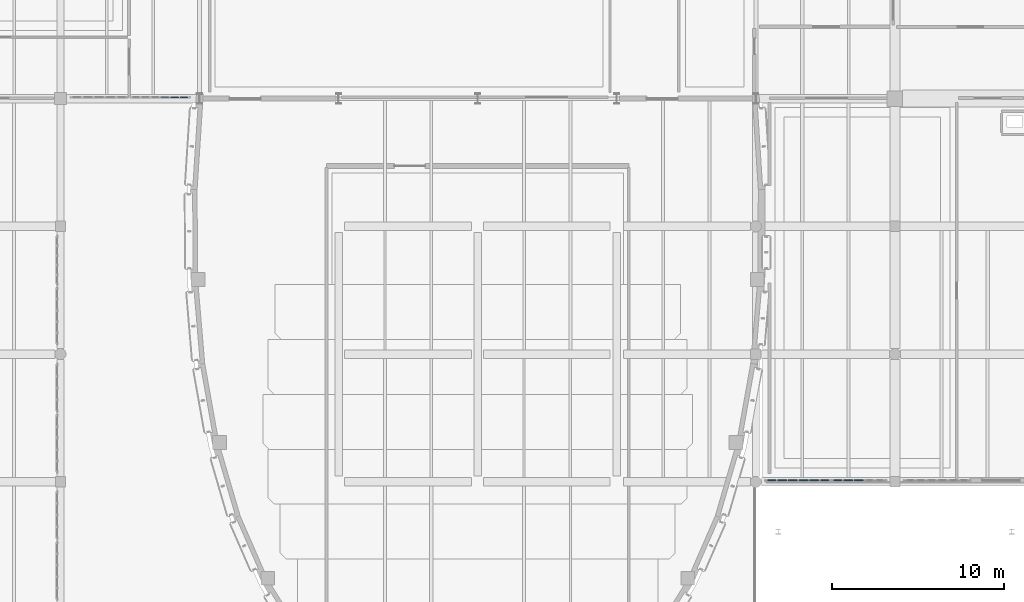
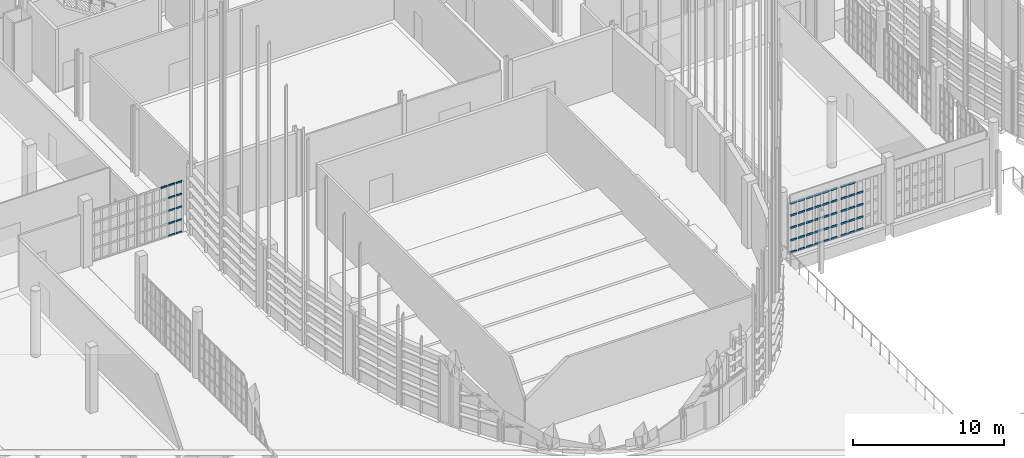
# One storey, part 300 of 372: 55 members, 3 elements without a shape of their own.
"""IFC4 building model written with IfcOpenShell, lengths in metres."""

from ifc_helpers import new_model, si_unit, direction, frame, origin, origin_2d, place, context, subcontext, project, spatial, hollow_rectangle, extrude, material, material_profile, profile_set, type_object, element, aggregate, save


model = new_model("IFC4")

# Units and contexts
model_context = context("Model", 3, precision=1e-05, world=origin(), true_north=direction((0.0, 1.0)))
body_context = subcontext(model_context, "Body", "Model", "MODEL_VIEW")
ifc_project = project(units=[si_unit("LENGTHUNIT", "METRE"), si_unit("AREAUNIT", "SQUARE_METRE"), si_unit("VOLUMEUNIT", "CUBIC_METRE"), si_unit("PLANEANGLEUNIT", "RADIAN"), si_unit("MASSUNIT", "GRAM", prefix="KILO")], contexts=[model_context])

# Site, building, storey
site_placement = place(None, origin())
site = spatial("IfcSite", under=ifc_project, at=site_placement, CompositionType="ELEMENT")
building_placement = place(site_placement, origin())
building = spatial("IfcBuilding", under=site, at=building_placement, Name="Kaelora Sail Theatre", CompositionType="ELEMENT")
storey_placement = place(building_placement, origin())
storey = spatial("IfcBuildingStorey", under=building, at=storey_placement, Name="L00", CompositionType="ELEMENT", Elevation=0.0)

# Curtain wall, members
ifc_material_1 = material(Name="Anodised aluminium and solar-control low-E IGU", Category="aluminium")
curtain_wall_type = type_object("IfcCurtainWallType", Name="ARC-CW-CW-FOY1", PredefinedType="NOTDEFINED", material=ifc_material_1)
curtain_wall_1_placement = place(storey_placement, origin())
curtain_wall_1 = element("IfcCurtainWall", 1, at=curtain_wall_1_placement, inside=storey, type_object=curtain_wall_type, Name="Glazed Foyer/Conservatory Curtain Wall FW1-S-L00-02", PredefinedType="NOTDEFINED")
ifc_material_2 = material(Name="Anodised aluminium 6063-T6", Category="aluminium")
ifc_material_profile_1 = material_profile(ifc_material_2, hollow_rectangle(XDim=0.070068359375, YDim=0.139892578125, WallThickness=0.00390625, InnerFilletRadius=0.00390625, OuterFilletRadius=0.008056640625, at=origin_2d()), Name="ALU-TRAN 70x140x4")
ifc_profile_set_1 = profile_set([ifc_material_profile_1], Name="Anodised aluminium 6063-T6")
member_type_1 = type_object("IfcMemberType", Name="ARC-MEM-TR-140", PredefinedType="USERDEFINED", material=ifc_profile_set_1)
member_1_placement = place(storey_placement, frame((23.530029296875, 61.090087890625, 4.10205078125), z_axis=(1.0, 0.0, 0.0), x_axis=(0.0, 1.0, 0.0)))
member_1 = element("IfcMember", 2, at=member_1_placement, type_object=member_type_1, Name="CW-FOY1 transom 4.5", ObjectType="TRANSOM", PredefinedType="USERDEFINED", context=body_context, shape_type="SweptSolid", body=[
    extrude(hollow_rectangle(XDim=0.070068359375, YDim=0.139892578125, WallThickness=0.00390625, InnerFilletRadius=0.00390625, OuterFilletRadius=0.008056640625, at=origin_2d()), origin(), (0.0, 0.0, 1.0), 0.506591796875),
])
member_2_placement = place(storey_placement, frame((24.0966796875, 61.090087890625, 0.034912109375), z_axis=(1.0, 0.0, 0.0), x_axis=(0.0, 1.0, 0.0)))
member_2 = element("IfcMember", 3, at=member_2_placement, type_object=member_type_1, Name="CW-FOY1 transom 5.1", ObjectType="TRANSOM", PredefinedType="USERDEFINED", context=body_context, shape_type="SweptSolid", body=[
    extrude(hollow_rectangle(XDim=0.070068359375, YDim=0.139892578125, WallThickness=0.00390625, InnerFilletRadius=0.00390625, OuterFilletRadius=0.008056640625, at=origin_2d()), origin(), (0.0, 0.0, 1.0), 0.506591796875),
])
member_3_placement = place(storey_placement, frame((24.0966796875, 61.090087890625, 1.0341796875), z_axis=(1.0, 0.0, 0.0), x_axis=(0.0, 1.0, 0.0)))
member_3 = element("IfcMember", 4, at=member_3_placement, type_object=member_type_1, Name="CW-FOY1 transom 5.2", ObjectType="TRANSOM", PredefinedType="USERDEFINED", context=body_context, shape_type="SweptSolid", body=[
    extrude(hollow_rectangle(XDim=0.070068359375, YDim=0.139892578125, WallThickness=0.00390625, InnerFilletRadius=0.00390625, OuterFilletRadius=0.008056640625, at=origin_2d()), origin(), (0.0, 0.0, 1.0), 0.506591796875),
])
member_4_placement = place(storey_placement, frame((24.0966796875, 61.090087890625, 2.068603515625), z_axis=(1.0, 0.0, 0.0), x_axis=(0.0, 1.0, 0.0)))
member_4 = element("IfcMember", 5, at=member_4_placement, type_object=member_type_1, Name="CW-FOY1 transom 5.3", ObjectType="TRANSOM", PredefinedType="USERDEFINED", context=body_context, shape_type="SweptSolid", body=[
    extrude(hollow_rectangle(XDim=0.070068359375, YDim=0.139892578125, WallThickness=0.00390625, InnerFilletRadius=0.00390625, OuterFilletRadius=0.008056640625, at=origin_2d()), origin(), (0.0, 0.0, 1.0), 0.506591796875),
])
member_5_placement = place(storey_placement, frame((24.0966796875, 61.090087890625, 3.102783203125), z_axis=(1.0, 0.0, 0.0), x_axis=(0.0, 1.0, 0.0)))
member_5 = element("IfcMember", 6, at=member_5_placement, type_object=member_type_1, Name="CW-FOY1 transom 5.4", ObjectType="TRANSOM", PredefinedType="USERDEFINED", context=body_context, shape_type="SweptSolid", body=[
    extrude(hollow_rectangle(XDim=0.070068359375, YDim=0.139892578125, WallThickness=0.00390625, InnerFilletRadius=0.00390625, OuterFilletRadius=0.008056640625, at=origin_2d()), origin(), (0.0, 0.0, 1.0), 0.506591796875),
])
member_6_placement = place(storey_placement, frame((24.0966796875, 61.090087890625, 4.10205078125), z_axis=(1.0, 0.0, 0.0), x_axis=(0.0, 1.0, 0.0)))
member_6 = element("IfcMember", 7, at=member_6_placement, type_object=member_type_1, Name="CW-FOY1 transom 5.5", ObjectType="TRANSOM", PredefinedType="USERDEFINED", context=body_context, shape_type="SweptSolid", body=[
    extrude(hollow_rectangle(XDim=0.070068359375, YDim=0.139892578125, WallThickness=0.00390625, InnerFilletRadius=0.00390625, OuterFilletRadius=0.008056640625, at=origin_2d()), origin(), (0.0, 0.0, 1.0), 0.506591796875),
])
member_7_placement = place(storey_placement, frame((24.663330078125, 61.090087890625, 0.034912109375), z_axis=(1.0, 0.0, 0.0), x_axis=(0.0, 1.0, 0.0)))
member_7 = element("IfcMember", 8, at=member_7_placement, type_object=member_type_1, Name="CW-FOY1 transom 6.1", ObjectType="TRANSOM", PredefinedType="USERDEFINED", context=body_context, shape_type="SweptSolid", body=[
    extrude(hollow_rectangle(XDim=0.070068359375, YDim=0.139892578125, WallThickness=0.00390625, InnerFilletRadius=0.00390625, OuterFilletRadius=0.008056640625, at=origin_2d()), origin(), (0.0, 0.0, 1.0), 0.4765625),
])
member_8_placement = place(storey_placement, frame((24.663330078125, 61.090087890625, 1.0341796875), z_axis=(1.0, 0.0, 0.0), x_axis=(0.0, 1.0, 0.0)))
member_8 = element("IfcMember", 9, at=member_8_placement, type_object=member_type_1, Name="CW-FOY1 transom 6.2", ObjectType="TRANSOM", PredefinedType="USERDEFINED", context=body_context, shape_type="SweptSolid", body=[
    extrude(hollow_rectangle(XDim=0.070068359375, YDim=0.139892578125, WallThickness=0.00390625, InnerFilletRadius=0.00390625, OuterFilletRadius=0.008056640625, at=origin_2d()), origin(), (0.0, 0.0, 1.0), 0.4765625),
])
member_9_placement = place(storey_placement, frame((24.663330078125, 61.090087890625, 2.068603515625), z_axis=(1.0, 0.0, 0.0), x_axis=(0.0, 1.0, 0.0)))
member_9 = element("IfcMember", 10, at=member_9_placement, type_object=member_type_1, Name="CW-FOY1 transom 6.3", ObjectType="TRANSOM", PredefinedType="USERDEFINED", context=body_context, shape_type="SweptSolid", body=[
    extrude(hollow_rectangle(XDim=0.070068359375, YDim=0.139892578125, WallThickness=0.00390625, InnerFilletRadius=0.00390625, OuterFilletRadius=0.008056640625, at=origin_2d()), origin(), (0.0, 0.0, 1.0), 0.4765625),
])
member_10_placement = place(storey_placement, frame((24.663330078125, 61.090087890625, 3.102783203125), z_axis=(1.0, 0.0, 0.0), x_axis=(0.0, 1.0, 0.0)))
member_10 = element("IfcMember", 11, at=member_10_placement, type_object=member_type_1, Name="CW-FOY1 transom 6.4", ObjectType="TRANSOM", PredefinedType="USERDEFINED", context=body_context, shape_type="SweptSolid", body=[
    extrude(hollow_rectangle(XDim=0.070068359375, YDim=0.139892578125, WallThickness=0.00390625, InnerFilletRadius=0.00390625, OuterFilletRadius=0.008056640625, at=origin_2d()), origin(), (0.0, 0.0, 1.0), 0.4765625),
])
member_11_placement = place(storey_placement, frame((24.663330078125, 61.090087890625, 4.10205078125), z_axis=(1.0, 0.0, 0.0), x_axis=(0.0, 1.0, 0.0)))
member_11 = element("IfcMember", 12, at=member_11_placement, type_object=member_type_1, Name="CW-FOY1 transom 6.5", ObjectType="TRANSOM", PredefinedType="USERDEFINED", context=body_context, shape_type="SweptSolid", body=[
    extrude(hollow_rectangle(XDim=0.070068359375, YDim=0.139892578125, WallThickness=0.00390625, InnerFilletRadius=0.00390625, OuterFilletRadius=0.008056640625, at=origin_2d()), origin(), (0.0, 0.0, 1.0), 0.4765625),
])
aggregate(curtain_wall_1, [member_1, member_2, member_3, member_4, member_5, member_6, member_7, member_8, member_9, member_10, member_11])

curtain_wall_2_placement = place(storey_placement, origin())
curtain_wall_2 = element("IfcCurtainWall", 13, at=curtain_wall_2_placement, inside=storey, type_object=curtain_wall_type, Name="West Interstitial Sail Foyer Curtain Wall L00-01", PredefinedType="NOTDEFINED")
ifc_material_3 = material(Name="Anodised aluminium 6063-T6", Category="aluminium")
ifc_material_profile_2 = material_profile(ifc_material_3, hollow_rectangle(XDim=0.080078125, YDim=0.159912109375, WallThickness=0.0048828125, InnerFilletRadius=0.0048828125, OuterFilletRadius=0.010009765625, at=origin_2d()), Name="ALU-TRAN 80x160x5")
ifc_profile_set_2 = profile_set([ifc_material_profile_2], Name="Anodised aluminium 6063-T6")
member_type_2 = type_object("IfcMemberType", Name="ARC-MEM-TR-160", PredefinedType="USERDEFINED", material=ifc_profile_set_2)
member_12_placement = place(storey_placement, frame((58.864990234375, 38.7900390625, 0.0400390625), z_axis=(1.0, 0.0, 0.0), x_axis=(0.0, 1.0, 0.0)))
member_12 = element("IfcMember", 14, at=member_12_placement, type_object=member_type_2, Name="CW-FOY1 transom 1.1", ObjectType="TRANSOM", PredefinedType="USERDEFINED", context=body_context, shape_type="SweptSolid", body=[
    extrude(hollow_rectangle(XDim=0.080078125, YDim=0.159912109375, WallThickness=0.0048828125, InnerFilletRadius=0.0048828125, OuterFilletRadius=0.010009765625, at=origin_2d()), origin(), (0.0, 0.0, 1.0), 0.507568359375),
])
member_13_placement = place(storey_placement, frame((58.864990234375, 38.7900390625, 1.00927734375), z_axis=(1.0, 0.0, 0.0), x_axis=(0.0, 1.0, 0.0)))
member_13 = element("IfcMember", 15, at=member_13_placement, type_object=member_type_2, Name="CW-FOY1 transom 1.2", ObjectType="TRANSOM", PredefinedType="USERDEFINED", context=body_context, shape_type="SweptSolid", body=[
    extrude(hollow_rectangle(XDim=0.080078125, YDim=0.159912109375, WallThickness=0.0048828125, InnerFilletRadius=0.0048828125, OuterFilletRadius=0.010009765625, at=origin_2d()), origin(), (0.0, 0.0, 1.0), 0.507568359375),
])
member_14_placement = place(storey_placement, frame((58.864990234375, 38.7900390625, 2.0185546875), z_axis=(1.0, 0.0, 0.0), x_axis=(0.0, 1.0, 0.0)))
member_14 = element("IfcMember", 16, at=member_14_placement, type_object=member_type_2, Name="CW-FOY1 transom 1.3", ObjectType="TRANSOM", PredefinedType="USERDEFINED", context=body_context, shape_type="SweptSolid", body=[
    extrude(hollow_rectangle(XDim=0.080078125, YDim=0.159912109375, WallThickness=0.0048828125, InnerFilletRadius=0.0048828125, OuterFilletRadius=0.010009765625, at=origin_2d()), origin(), (0.0, 0.0, 1.0), 0.507568359375),
])
member_15_placement = place(storey_placement, frame((58.864990234375, 38.7900390625, 3.02783203125), z_axis=(1.0, 0.0, 0.0), x_axis=(0.0, 1.0, 0.0)))
member_15 = element("IfcMember", 17, at=member_15_placement, type_object=member_type_2, Name="CW-FOY1 transom 1.4", ObjectType="TRANSOM", PredefinedType="USERDEFINED", context=body_context, shape_type="SweptSolid", body=[
    extrude(hollow_rectangle(XDim=0.080078125, YDim=0.159912109375, WallThickness=0.0048828125, InnerFilletRadius=0.0048828125, OuterFilletRadius=0.010009765625, at=origin_2d()), origin(), (0.0, 0.0, 1.0), 0.507568359375),
])
member_16_placement = place(storey_placement, frame((58.864990234375, 38.7900390625, 3.9970703125), z_axis=(1.0, 0.0, 0.0), x_axis=(0.0, 1.0, 0.0)))
member_16 = element("IfcMember", 18, at=member_16_placement, type_object=member_type_2, Name="CW-FOY1 transom 1.5", ObjectType="TRANSOM", PredefinedType="USERDEFINED", context=body_context, shape_type="SweptSolid", body=[
    extrude(hollow_rectangle(XDim=0.080078125, YDim=0.159912109375, WallThickness=0.0048828125, InnerFilletRadius=0.0048828125, OuterFilletRadius=0.010009765625, at=origin_2d()), origin(), (0.0, 0.0, 1.0), 0.507568359375),
])
member_17_placement = place(storey_placement, frame((59.452392578125, 38.7900390625, 0.0400390625), z_axis=(1.0, 0.0, 0.0), x_axis=(0.0, 1.0, 0.0)))
member_17 = element("IfcMember", 19, at=member_17_placement, type_object=member_type_2, Name="CW-FOY1 transom 2.1", ObjectType="TRANSOM", PredefinedType="USERDEFINED", context=body_context, shape_type="SweptSolid", body=[
    extrude(hollow_rectangle(XDim=0.080078125, YDim=0.159912109375, WallThickness=0.0048828125, InnerFilletRadius=0.0048828125, OuterFilletRadius=0.010009765625, at=origin_2d()), origin(), (0.0, 0.0, 1.0), 0.547607421875),
])
member_18_placement = place(storey_placement, frame((59.452392578125, 38.7900390625, 1.00927734375), z_axis=(1.0, 0.0, 0.0), x_axis=(0.0, 1.0, 0.0)))
member_18 = element("IfcMember", 20, at=member_18_placement, type_object=member_type_2, Name="CW-FOY1 transom 2.2", ObjectType="TRANSOM", PredefinedType="USERDEFINED", context=body_context, shape_type="SweptSolid", body=[
    extrude(hollow_rectangle(XDim=0.080078125, YDim=0.159912109375, WallThickness=0.0048828125, InnerFilletRadius=0.0048828125, OuterFilletRadius=0.010009765625, at=origin_2d()), origin(), (0.0, 0.0, 1.0), 0.547607421875),
])
member_19_placement = place(storey_placement, frame((59.452392578125, 38.7900390625, 2.0185546875), z_axis=(1.0, 0.0, 0.0), x_axis=(0.0, 1.0, 0.0)))
member_19 = element("IfcMember", 21, at=member_19_placement, type_object=member_type_2, Name="CW-FOY1 transom 2.3", ObjectType="TRANSOM", PredefinedType="USERDEFINED", context=body_context, shape_type="SweptSolid", body=[
    extrude(hollow_rectangle(XDim=0.080078125, YDim=0.159912109375, WallThickness=0.0048828125, InnerFilletRadius=0.0048828125, OuterFilletRadius=0.010009765625, at=origin_2d()), origin(), (0.0, 0.0, 1.0), 0.547607421875),
])
member_20_placement = place(storey_placement, frame((59.452392578125, 38.7900390625, 3.02783203125), z_axis=(1.0, 0.0, 0.0), x_axis=(0.0, 1.0, 0.0)))
member_20 = element("IfcMember", 22, at=member_20_placement, type_object=member_type_2, Name="CW-FOY1 transom 2.4", ObjectType="TRANSOM", PredefinedType="USERDEFINED", context=body_context, shape_type="SweptSolid", body=[
    extrude(hollow_rectangle(XDim=0.080078125, YDim=0.159912109375, WallThickness=0.0048828125, InnerFilletRadius=0.0048828125, OuterFilletRadius=0.010009765625, at=origin_2d()), origin(), (0.0, 0.0, 1.0), 0.547607421875),
])
member_21_placement = place(storey_placement, frame((59.452392578125, 38.7900390625, 3.9970703125), z_axis=(1.0, 0.0, 0.0), x_axis=(0.0, 1.0, 0.0)))
member_21 = element("IfcMember", 23, at=member_21_placement, type_object=member_type_2, Name="CW-FOY1 transom 2.5", ObjectType="TRANSOM", PredefinedType="USERDEFINED", context=body_context, shape_type="SweptSolid", body=[
    extrude(hollow_rectangle(XDim=0.080078125, YDim=0.159912109375, WallThickness=0.0048828125, InnerFilletRadius=0.0048828125, OuterFilletRadius=0.010009765625, at=origin_2d()), origin(), (0.0, 0.0, 1.0), 0.547607421875),
])
member_22_placement = place(storey_placement, frame((60.080078125, 38.7900390625, 0.0400390625), z_axis=(1.0, 0.0, 0.0), x_axis=(0.0, 1.0, 0.0)))
member_22 = element("IfcMember", 24, at=member_22_placement, type_object=member_type_2, Name="CW-FOY1 transom 3.1", ObjectType="TRANSOM", PredefinedType="USERDEFINED", context=body_context, shape_type="SweptSolid", body=[
    extrude(hollow_rectangle(XDim=0.080078125, YDim=0.159912109375, WallThickness=0.0048828125, InnerFilletRadius=0.0048828125, OuterFilletRadius=0.010009765625, at=origin_2d()), origin(), (0.0, 0.0, 1.0), 0.54736328125),
])
member_23_placement = place(storey_placement, frame((60.080078125, 38.7900390625, 1.00927734375), z_axis=(1.0, 0.0, 0.0), x_axis=(0.0, 1.0, 0.0)))
member_23 = element("IfcMember", 25, at=member_23_placement, type_object=member_type_2, Name="CW-FOY1 transom 3.2", ObjectType="TRANSOM", PredefinedType="USERDEFINED", context=body_context, shape_type="SweptSolid", body=[
    extrude(hollow_rectangle(XDim=0.080078125, YDim=0.159912109375, WallThickness=0.0048828125, InnerFilletRadius=0.0048828125, OuterFilletRadius=0.010009765625, at=origin_2d()), origin(), (0.0, 0.0, 1.0), 0.54736328125),
])
member_24_placement = place(storey_placement, frame((60.080078125, 38.7900390625, 2.0185546875), z_axis=(1.0, 0.0, 0.0), x_axis=(0.0, 1.0, 0.0)))
member_24 = element("IfcMember", 26, at=member_24_placement, type_object=member_type_2, Name="CW-FOY1 transom 3.3", ObjectType="TRANSOM", PredefinedType="USERDEFINED", context=body_context, shape_type="SweptSolid", body=[
    extrude(hollow_rectangle(XDim=0.080078125, YDim=0.159912109375, WallThickness=0.0048828125, InnerFilletRadius=0.0048828125, OuterFilletRadius=0.010009765625, at=origin_2d()), origin(), (0.0, 0.0, 1.0), 0.54736328125),
])
member_25_placement = place(storey_placement, frame((60.080078125, 38.7900390625, 3.02783203125), z_axis=(1.0, 0.0, 0.0), x_axis=(0.0, 1.0, 0.0)))
member_25 = element("IfcMember", 27, at=member_25_placement, type_object=member_type_2, Name="CW-FOY1 transom 3.4", ObjectType="TRANSOM", PredefinedType="USERDEFINED", context=body_context, shape_type="SweptSolid", body=[
    extrude(hollow_rectangle(XDim=0.080078125, YDim=0.159912109375, WallThickness=0.0048828125, InnerFilletRadius=0.0048828125, OuterFilletRadius=0.010009765625, at=origin_2d()), origin(), (0.0, 0.0, 1.0), 0.54736328125),
])
member_26_placement = place(storey_placement, frame((60.080078125, 38.7900390625, 3.9970703125), z_axis=(1.0, 0.0, 0.0), x_axis=(0.0, 1.0, 0.0)))
member_26 = element("IfcMember", 28, at=member_26_placement, type_object=member_type_2, Name="CW-FOY1 transom 3.5", ObjectType="TRANSOM", PredefinedType="USERDEFINED", context=body_context, shape_type="SweptSolid", body=[
    extrude(hollow_rectangle(XDim=0.080078125, YDim=0.159912109375, WallThickness=0.0048828125, InnerFilletRadius=0.0048828125, OuterFilletRadius=0.010009765625, at=origin_2d()), origin(), (0.0, 0.0, 1.0), 0.54736328125),
])
member_27_placement = place(storey_placement, frame((60.70751953125, 38.7900390625, 0.0400390625), z_axis=(1.0, 0.0, 0.0), x_axis=(0.0, 1.0, 0.0)))
member_27 = element("IfcMember", 29, at=member_27_placement, type_object=member_type_2, Name="CW-FOY1 transom 4.1", ObjectType="TRANSOM", PredefinedType="USERDEFINED", context=body_context, shape_type="SweptSolid", body=[
    extrude(hollow_rectangle(XDim=0.080078125, YDim=0.159912109375, WallThickness=0.0048828125, InnerFilletRadius=0.0048828125, OuterFilletRadius=0.010009765625, at=origin_2d()), origin(), (0.0, 0.0, 1.0), 0.54736328125),
])
member_28_placement = place(storey_placement, frame((60.70751953125, 38.7900390625, 1.00927734375), z_axis=(1.0, 0.0, 0.0), x_axis=(0.0, 1.0, 0.0)))
member_28 = element("IfcMember", 30, at=member_28_placement, type_object=member_type_2, Name="CW-FOY1 transom 4.2", ObjectType="TRANSOM", PredefinedType="USERDEFINED", context=body_context, shape_type="SweptSolid", body=[
    extrude(hollow_rectangle(XDim=0.080078125, YDim=0.159912109375, WallThickness=0.0048828125, InnerFilletRadius=0.0048828125, OuterFilletRadius=0.010009765625, at=origin_2d()), origin(), (0.0, 0.0, 1.0), 0.54736328125),
])
member_29_placement = place(storey_placement, frame((60.70751953125, 38.7900390625, 2.0185546875), z_axis=(1.0, 0.0, 0.0), x_axis=(0.0, 1.0, 0.0)))
member_29 = element("IfcMember", 31, at=member_29_placement, type_object=member_type_2, Name="CW-FOY1 transom 4.3", ObjectType="TRANSOM", PredefinedType="USERDEFINED", context=body_context, shape_type="SweptSolid", body=[
    extrude(hollow_rectangle(XDim=0.080078125, YDim=0.159912109375, WallThickness=0.0048828125, InnerFilletRadius=0.0048828125, OuterFilletRadius=0.010009765625, at=origin_2d()), origin(), (0.0, 0.0, 1.0), 0.54736328125),
])
member_30_placement = place(storey_placement, frame((60.70751953125, 38.7900390625, 3.02783203125), z_axis=(1.0, 0.0, 0.0), x_axis=(0.0, 1.0, 0.0)))
member_30 = element("IfcMember", 32, at=member_30_placement, type_object=member_type_2, Name="CW-FOY1 transom 4.4", ObjectType="TRANSOM", PredefinedType="USERDEFINED", context=body_context, shape_type="SweptSolid", body=[
    extrude(hollow_rectangle(XDim=0.080078125, YDim=0.159912109375, WallThickness=0.0048828125, InnerFilletRadius=0.0048828125, OuterFilletRadius=0.010009765625, at=origin_2d()), origin(), (0.0, 0.0, 1.0), 0.54736328125),
])
member_31_placement = place(storey_placement, frame((60.70751953125, 38.7900390625, 3.9970703125), z_axis=(1.0, 0.0, 0.0), x_axis=(0.0, 1.0, 0.0)))
member_31 = element("IfcMember", 33, at=member_31_placement, type_object=member_type_2, Name="CW-FOY1 transom 4.5", ObjectType="TRANSOM", PredefinedType="USERDEFINED", context=body_context, shape_type="SweptSolid", body=[
    extrude(hollow_rectangle(XDim=0.080078125, YDim=0.159912109375, WallThickness=0.0048828125, InnerFilletRadius=0.0048828125, OuterFilletRadius=0.010009765625, at=origin_2d()), origin(), (0.0, 0.0, 1.0), 0.54736328125),
])
member_32_placement = place(storey_placement, frame((61.3349609375, 38.7900390625, 0.0400390625), z_axis=(1.0, 0.0, 0.0), x_axis=(0.0, 1.0, 0.0)))
member_32 = element("IfcMember", 34, at=member_32_placement, type_object=member_type_2, Name="CW-FOY1 transom 5.1", ObjectType="TRANSOM", PredefinedType="USERDEFINED", context=body_context, shape_type="SweptSolid", body=[
    extrude(hollow_rectangle(XDim=0.080078125, YDim=0.159912109375, WallThickness=0.0048828125, InnerFilletRadius=0.0048828125, OuterFilletRadius=0.010009765625, at=origin_2d()), origin(), (0.0, 0.0, 1.0), 0.547607421875),
])
member_33_placement = place(storey_placement, frame((61.3349609375, 38.7900390625, 1.00927734375), z_axis=(1.0, 0.0, 0.0), x_axis=(0.0, 1.0, 0.0)))
member_33 = element("IfcMember", 35, at=member_33_placement, type_object=member_type_2, Name="CW-FOY1 transom 5.2", ObjectType="TRANSOM", PredefinedType="USERDEFINED", context=body_context, shape_type="SweptSolid", body=[
    extrude(hollow_rectangle(XDim=0.080078125, YDim=0.159912109375, WallThickness=0.0048828125, InnerFilletRadius=0.0048828125, OuterFilletRadius=0.010009765625, at=origin_2d()), origin(), (0.0, 0.0, 1.0), 0.547607421875),
])
member_34_placement = place(storey_placement, frame((61.3349609375, 38.7900390625, 2.0185546875), z_axis=(1.0, 0.0, 0.0), x_axis=(0.0, 1.0, 0.0)))
member_34 = element("IfcMember", 36, at=member_34_placement, type_object=member_type_2, Name="CW-FOY1 transom 5.3", ObjectType="TRANSOM", PredefinedType="USERDEFINED", context=body_context, shape_type="SweptSolid", body=[
    extrude(hollow_rectangle(XDim=0.080078125, YDim=0.159912109375, WallThickness=0.0048828125, InnerFilletRadius=0.0048828125, OuterFilletRadius=0.010009765625, at=origin_2d()), origin(), (0.0, 0.0, 1.0), 0.547607421875),
])
member_35_placement = place(storey_placement, frame((61.3349609375, 38.7900390625, 3.02783203125), z_axis=(1.0, 0.0, 0.0), x_axis=(0.0, 1.0, 0.0)))
member_35 = element("IfcMember", 37, at=member_35_placement, type_object=member_type_2, Name="CW-FOY1 transom 5.4", ObjectType="TRANSOM", PredefinedType="USERDEFINED", context=body_context, shape_type="SweptSolid", body=[
    extrude(hollow_rectangle(XDim=0.080078125, YDim=0.159912109375, WallThickness=0.0048828125, InnerFilletRadius=0.0048828125, OuterFilletRadius=0.010009765625, at=origin_2d()), origin(), (0.0, 0.0, 1.0), 0.547607421875),
])
member_36_placement = place(storey_placement, frame((61.3349609375, 38.7900390625, 3.9970703125), z_axis=(1.0, 0.0, 0.0), x_axis=(0.0, 1.0, 0.0)))
member_36 = element("IfcMember", 38, at=member_36_placement, type_object=member_type_2, Name="CW-FOY1 transom 5.5", ObjectType="TRANSOM", PredefinedType="USERDEFINED", context=body_context, shape_type="SweptSolid", body=[
    extrude(hollow_rectangle(XDim=0.080078125, YDim=0.159912109375, WallThickness=0.0048828125, InnerFilletRadius=0.0048828125, OuterFilletRadius=0.010009765625, at=origin_2d()), origin(), (0.0, 0.0, 1.0), 0.547607421875),
])
member_37_placement = place(storey_placement, frame((61.96240234375, 38.7900390625, 0.0400390625), z_axis=(1.0, 0.0, 0.0), x_axis=(0.0, 1.0, 0.0)))
member_37 = element("IfcMember", 39, at=member_37_placement, type_object=member_type_2, Name="CW-FOY1 transom 6.1", ObjectType="TRANSOM", PredefinedType="USERDEFINED", context=body_context, shape_type="SweptSolid", body=[
    extrude(hollow_rectangle(XDim=0.080078125, YDim=0.159912109375, WallThickness=0.0048828125, InnerFilletRadius=0.0048828125, OuterFilletRadius=0.010009765625, at=origin_2d()), origin(), (0.0, 0.0, 1.0), 0.507568359375),
])
member_38_placement = place(storey_placement, frame((61.96240234375, 38.7900390625, 1.00927734375), z_axis=(1.0, 0.0, 0.0), x_axis=(0.0, 1.0, 0.0)))
member_38 = element("IfcMember", 40, at=member_38_placement, type_object=member_type_2, Name="CW-FOY1 transom 6.2", ObjectType="TRANSOM", PredefinedType="USERDEFINED", context=body_context, shape_type="SweptSolid", body=[
    extrude(hollow_rectangle(XDim=0.080078125, YDim=0.159912109375, WallThickness=0.0048828125, InnerFilletRadius=0.0048828125, OuterFilletRadius=0.010009765625, at=origin_2d()), origin(), (0.0, 0.0, 1.0), 0.507568359375),
])
member_39_placement = place(storey_placement, frame((61.96240234375, 38.7900390625, 2.0185546875), z_axis=(1.0, 0.0, 0.0), x_axis=(0.0, 1.0, 0.0)))
member_39 = element("IfcMember", 41, at=member_39_placement, type_object=member_type_2, Name="CW-FOY1 transom 6.3", ObjectType="TRANSOM", PredefinedType="USERDEFINED", context=body_context, shape_type="SweptSolid", body=[
    extrude(hollow_rectangle(XDim=0.080078125, YDim=0.159912109375, WallThickness=0.0048828125, InnerFilletRadius=0.0048828125, OuterFilletRadius=0.010009765625, at=origin_2d()), origin(), (0.0, 0.0, 1.0), 0.507568359375),
])
member_40_placement = place(storey_placement, frame((61.96240234375, 38.7900390625, 3.02783203125), z_axis=(1.0, 0.0, 0.0), x_axis=(0.0, 1.0, 0.0)))
member_40 = element("IfcMember", 42, at=member_40_placement, type_object=member_type_2, Name="CW-FOY1 transom 6.4", ObjectType="TRANSOM", PredefinedType="USERDEFINED", context=body_context, shape_type="SweptSolid", body=[
    extrude(hollow_rectangle(XDim=0.080078125, YDim=0.159912109375, WallThickness=0.0048828125, InnerFilletRadius=0.0048828125, OuterFilletRadius=0.010009765625, at=origin_2d()), origin(), (0.0, 0.0, 1.0), 0.507568359375),
])
member_41_placement = place(storey_placement, frame((61.96240234375, 38.7900390625, 3.9970703125), z_axis=(1.0, 0.0, 0.0), x_axis=(0.0, 1.0, 0.0)))
member_41 = element("IfcMember", 43, at=member_41_placement, type_object=member_type_2, Name="CW-FOY1 transom 6.5", ObjectType="TRANSOM", PredefinedType="USERDEFINED", context=body_context, shape_type="SweptSolid", body=[
    extrude(hollow_rectangle(XDim=0.080078125, YDim=0.159912109375, WallThickness=0.0048828125, InnerFilletRadius=0.0048828125, OuterFilletRadius=0.010009765625, at=origin_2d()), origin(), (0.0, 0.0, 1.0), 0.507568359375),
])
aggregate(curtain_wall_2, [member_12, member_13, member_14, member_15, member_16, member_17, member_18, member_19, member_20, member_21, member_22, member_23, member_24, member_25, member_26, member_27, member_28, member_29, member_30, member_31, member_32, member_33, member_34, member_35, member_36, member_37, member_38, member_39, member_40, member_41])

curtain_wall_3_placement = place(storey_placement, origin())
curtain_wall_3 = element("IfcCurtainWall", 44, at=curtain_wall_3_placement, inside=storey, type_object=curtain_wall_type, Name="West Interstitial Sail Foyer Curtain Wall L00-02", PredefinedType="NOTDEFINED")
member_42_placement = place(storey_placement, frame((62.72998046875, 38.7900390625, 0.0400390625), z_axis=(1.0, 0.0, 0.0), x_axis=(0.0, 1.0, 0.0)))
member_42 = element("IfcMember", 45, at=member_42_placement, type_object=member_type_2, Name="CW-FOY1 transom 1.1", ObjectType="TRANSOM", PredefinedType="USERDEFINED", context=body_context, shape_type="SweptSolid", body=[
    extrude(hollow_rectangle(XDim=0.080078125, YDim=0.159912109375, WallThickness=0.0048828125, InnerFilletRadius=0.0048828125, OuterFilletRadius=0.010009765625, at=origin_2d()), origin(), (0.0, 0.0, 1.0), 0.498046875),
])
member_43_placement = place(storey_placement, frame((62.72998046875, 38.7900390625, 1.00927734375), z_axis=(1.0, 0.0, 0.0), x_axis=(0.0, 1.0, 0.0)))
member_43 = element("IfcMember", 46, at=member_43_placement, type_object=member_type_2, Name="CW-FOY1 transom 1.2", ObjectType="TRANSOM", PredefinedType="USERDEFINED", context=body_context, shape_type="SweptSolid", body=[
    extrude(hollow_rectangle(XDim=0.080078125, YDim=0.159912109375, WallThickness=0.0048828125, InnerFilletRadius=0.0048828125, OuterFilletRadius=0.010009765625, at=origin_2d()), origin(), (0.0, 0.0, 1.0), 0.498046875),
])
member_44_placement = place(storey_placement, frame((62.72998046875, 38.7900390625, 2.0185546875), z_axis=(1.0, 0.0, 0.0), x_axis=(0.0, 1.0, 0.0)))
member_44 = element("IfcMember", 47, at=member_44_placement, type_object=member_type_2, Name="CW-FOY1 transom 1.3", ObjectType="TRANSOM", PredefinedType="USERDEFINED", context=body_context, shape_type="SweptSolid", body=[
    extrude(hollow_rectangle(XDim=0.080078125, YDim=0.159912109375, WallThickness=0.0048828125, InnerFilletRadius=0.0048828125, OuterFilletRadius=0.010009765625, at=origin_2d()), origin(), (0.0, 0.0, 1.0), 0.498046875),
])
member_45_placement = place(storey_placement, frame((62.72998046875, 38.7900390625, 3.02783203125), z_axis=(1.0, 0.0, 0.0), x_axis=(0.0, 1.0, 0.0)))
member_45 = element("IfcMember", 48, at=member_45_placement, type_object=member_type_2, Name="CW-FOY1 transom 1.4", ObjectType="TRANSOM", PredefinedType="USERDEFINED", context=body_context, shape_type="SweptSolid", body=[
    extrude(hollow_rectangle(XDim=0.080078125, YDim=0.159912109375, WallThickness=0.0048828125, InnerFilletRadius=0.0048828125, OuterFilletRadius=0.010009765625, at=origin_2d()), origin(), (0.0, 0.0, 1.0), 0.498046875),
])
member_46_placement = place(storey_placement, frame((62.72998046875, 38.7900390625, 3.9970703125), z_axis=(1.0, 0.0, 0.0), x_axis=(0.0, 1.0, 0.0)))
member_46 = element("IfcMember", 49, at=member_46_placement, type_object=member_type_2, Name="CW-FOY1 transom 1.5", ObjectType="TRANSOM", PredefinedType="USERDEFINED", context=body_context, shape_type="SweptSolid", body=[
    extrude(hollow_rectangle(XDim=0.080078125, YDim=0.159912109375, WallThickness=0.0048828125, InnerFilletRadius=0.0048828125, OuterFilletRadius=0.010009765625, at=origin_2d()), origin(), (0.0, 0.0, 1.0), 0.498046875),
])
member_47_placement = place(storey_placement, frame((63.30810546875, 38.7900390625, 0.0400390625), z_axis=(1.0, 0.0, 0.0), x_axis=(0.0, 1.0, 0.0)))
member_47 = element("IfcMember", 50, at=member_47_placement, type_object=member_type_2, Name="CW-FOY1 transom 2.1", ObjectType="TRANSOM", PredefinedType="USERDEFINED", context=body_context, shape_type="SweptSolid", body=[
    extrude(hollow_rectangle(XDim=0.080078125, YDim=0.159912109375, WallThickness=0.0048828125, InnerFilletRadius=0.0048828125, OuterFilletRadius=0.010009765625, at=origin_2d()), origin(), (0.0, 0.0, 1.0), 0.537841796875),
])
member_48_placement = place(storey_placement, frame((63.30810546875, 38.7900390625, 1.00927734375), z_axis=(1.0, 0.0, 0.0), x_axis=(0.0, 1.0, 0.0)))
member_48 = element("IfcMember", 51, at=member_48_placement, type_object=member_type_2, Name="CW-FOY1 transom 2.2", ObjectType="TRANSOM", PredefinedType="USERDEFINED", context=body_context, shape_type="SweptSolid", body=[
    extrude(hollow_rectangle(XDim=0.080078125, YDim=0.159912109375, WallThickness=0.0048828125, InnerFilletRadius=0.0048828125, OuterFilletRadius=0.010009765625, at=origin_2d()), origin(), (0.0, 0.0, 1.0), 0.537841796875),
])
member_49_placement = place(storey_placement, frame((63.30810546875, 38.7900390625, 2.0185546875), z_axis=(1.0, 0.0, 0.0), x_axis=(0.0, 1.0, 0.0)))
member_49 = element("IfcMember", 52, at=member_49_placement, type_object=member_type_2, Name="CW-FOY1 transom 2.3", ObjectType="TRANSOM", PredefinedType="USERDEFINED", context=body_context, shape_type="SweptSolid", body=[
    extrude(hollow_rectangle(XDim=0.080078125, YDim=0.159912109375, WallThickness=0.0048828125, InnerFilletRadius=0.0048828125, OuterFilletRadius=0.010009765625, at=origin_2d()), origin(), (0.0, 0.0, 1.0), 0.537841796875),
])
member_50_placement = place(storey_placement, frame((63.30810546875, 38.7900390625, 3.02783203125), z_axis=(1.0, 0.0, 0.0), x_axis=(0.0, 1.0, 0.0)))
member_50 = element("IfcMember", 53, at=member_50_placement, type_object=member_type_2, Name="CW-FOY1 transom 2.4", ObjectType="TRANSOM", PredefinedType="USERDEFINED", context=body_context, shape_type="SweptSolid", body=[
    extrude(hollow_rectangle(XDim=0.080078125, YDim=0.159912109375, WallThickness=0.0048828125, InnerFilletRadius=0.0048828125, OuterFilletRadius=0.010009765625, at=origin_2d()), origin(), (0.0, 0.0, 1.0), 0.537841796875),
])
member_51_placement = place(storey_placement, frame((63.30810546875, 38.7900390625, 3.9970703125), z_axis=(1.0, 0.0, 0.0), x_axis=(0.0, 1.0, 0.0)))
member_51 = element("IfcMember", 54, at=member_51_placement, type_object=member_type_2, Name="CW-FOY1 transom 2.5", ObjectType="TRANSOM", PredefinedType="USERDEFINED", context=body_context, shape_type="SweptSolid", body=[
    extrude(hollow_rectangle(XDim=0.080078125, YDim=0.159912109375, WallThickness=0.0048828125, InnerFilletRadius=0.0048828125, OuterFilletRadius=0.010009765625, at=origin_2d()), origin(), (0.0, 0.0, 1.0), 0.537841796875),
])
member_52_placement = place(storey_placement, frame((63.926025390625, 38.7900390625, 0.0400390625), z_axis=(1.0, 0.0, 0.0), x_axis=(0.0, 1.0, 0.0)))
member_52 = element("IfcMember", 55, at=member_52_placement, type_object=member_type_2, Name="CW-FOY1 transom 3.1", ObjectType="TRANSOM", PredefinedType="USERDEFINED", context=body_context, shape_type="SweptSolid", body=[
    extrude(hollow_rectangle(XDim=0.080078125, YDim=0.159912109375, WallThickness=0.0048828125, InnerFilletRadius=0.0048828125, OuterFilletRadius=0.010009765625, at=origin_2d()), origin(), (0.0, 0.0, 1.0), 0.5380859375),
])
member_53_placement = place(storey_placement, frame((63.926025390625, 38.7900390625, 1.00927734375), z_axis=(1.0, 0.0, 0.0), x_axis=(0.0, 1.0, 0.0)))
member_53 = element("IfcMember", 56, at=member_53_placement, type_object=member_type_2, Name="CW-FOY1 transom 3.2", ObjectType="TRANSOM", PredefinedType="USERDEFINED", context=body_context, shape_type="SweptSolid", body=[
    extrude(hollow_rectangle(XDim=0.080078125, YDim=0.159912109375, WallThickness=0.0048828125, InnerFilletRadius=0.0048828125, OuterFilletRadius=0.010009765625, at=origin_2d()), origin(), (0.0, 0.0, 1.0), 0.5380859375),
])
member_54_placement = place(storey_placement, frame((63.926025390625, 38.7900390625, 2.0185546875), z_axis=(1.0, 0.0, 0.0), x_axis=(0.0, 1.0, 0.0)))
member_54 = element("IfcMember", 57, at=member_54_placement, type_object=member_type_2, Name="CW-FOY1 transom 3.3", ObjectType="TRANSOM", PredefinedType="USERDEFINED", context=body_context, shape_type="SweptSolid", body=[
    extrude(hollow_rectangle(XDim=0.080078125, YDim=0.159912109375, WallThickness=0.0048828125, InnerFilletRadius=0.0048828125, OuterFilletRadius=0.010009765625, at=origin_2d()), origin(), (0.0, 0.0, 1.0), 0.5380859375),
])
member_55_placement = place(storey_placement, frame((63.926025390625, 38.7900390625, 3.02783203125), z_axis=(1.0, 0.0, 0.0), x_axis=(0.0, 1.0, 0.0)))
member_55 = element("IfcMember", 58, at=member_55_placement, type_object=member_type_2, Name="CW-FOY1 transom 3.4", ObjectType="TRANSOM", PredefinedType="USERDEFINED", context=body_context, shape_type="SweptSolid", body=[
    extrude(hollow_rectangle(XDim=0.080078125, YDim=0.159912109375, WallThickness=0.0048828125, InnerFilletRadius=0.0048828125, OuterFilletRadius=0.010009765625, at=origin_2d()), origin(), (0.0, 0.0, 1.0), 0.5380859375),
])
aggregate(curtain_wall_3, [member_42, member_43, member_44, member_45, member_46, member_47, member_48, member_49, member_50, member_51, member_52, member_53, member_54, member_55])

save(model, "model.ifc")
